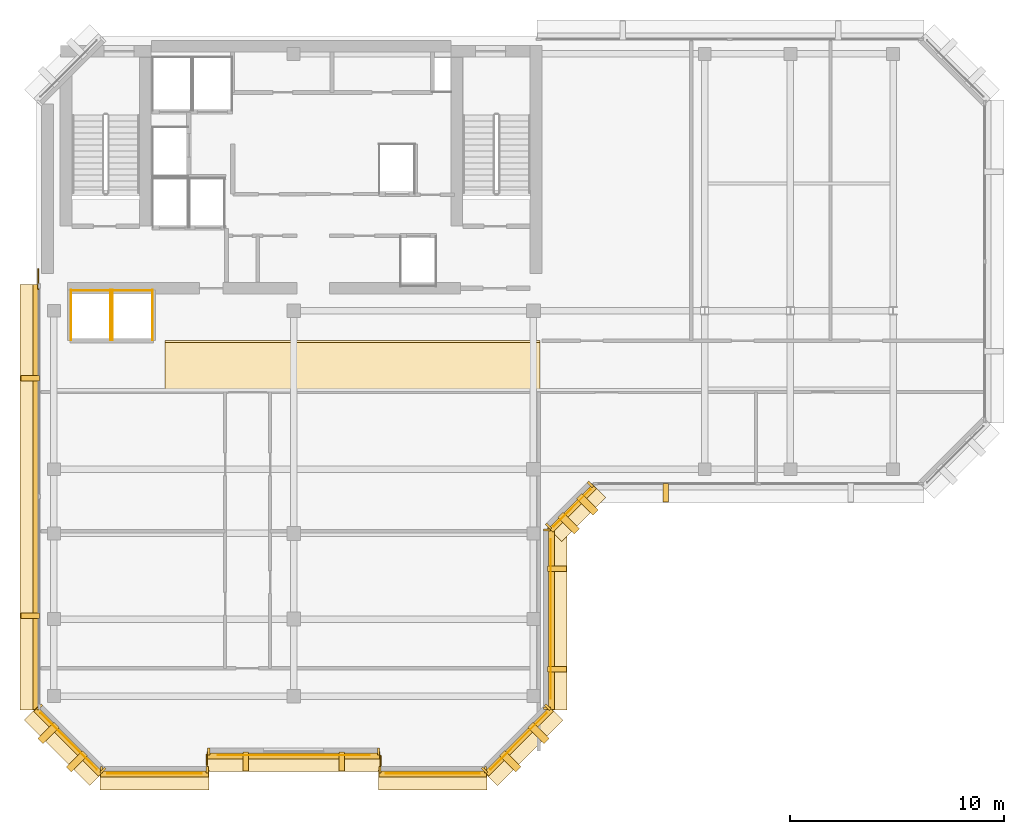
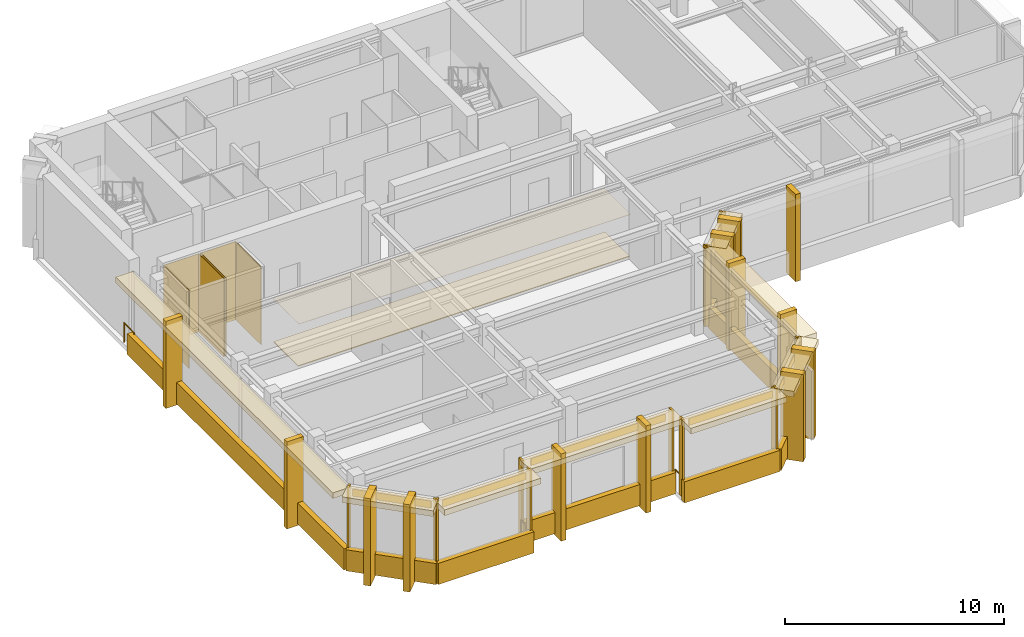
# One storey, part 7 of 9: 58 coverings, 3 railings.
"""IFC4 building model written with IfcOpenShell, lengths in metres."""

from ifc_helpers import new_model, si_unit, direction, frame, origin, origin_2d, place, context, subcontext, project, spatial, polyline, rectangle, circle, outline, extrude, material, layer, layer_set, type_object, element, save


model = new_model("IFC4")

# Units and contexts
model_context = context("Model", 3, precision=1e-05, world=origin(), true_north=direction((0.0, 1.0)))
body_context = subcontext(model_context, "Body", "Model", "MODEL_VIEW")
ifc_project = project(units=[si_unit("LENGTHUNIT", "METRE"), si_unit("AREAUNIT", "SQUARE_METRE"), si_unit("VOLUMEUNIT", "CUBIC_METRE"), si_unit("PLANEANGLEUNIT", "RADIAN"), si_unit("MASSUNIT", "GRAM", prefix="KILO")], contexts=[model_context])

# Site, building, storey
site_placement = place(None, origin())
site = spatial("IfcSite", under=ifc_project, at=site_placement, CompositionType="ELEMENT")
building_placement = place(site_placement, origin())
building = spatial("IfcBuilding", under=site, at=building_placement, Name="Kefirva Bronze Tower", CompositionType="ELEMENT")
storey_placement = place(building_placement, frame((0.0, 0.0, 356.72998046875)))
storey = spatial("IfcBuildingStorey", under=building, at=storey_placement, Name="L87", CompositionType="ELEMENT", Elevation=356.72998046875)

# Coverings
ifc_material_1 = material(Name="Acoustic mineral tile")
ifc_layer_1 = layer(ifc_material_1, 0.02490234375, Name="Acoustic mineral tile")
ifc_layer_set_1 = layer_set([ifc_layer_1], Name="Acoustic mineral tile")
covering_type_1 = type_object("IfcCoveringType", Name="Acoustic Mineral Suspended Ceiling 25mm", PredefinedType="CEILING", material=ifc_layer_set_1)
covering_1_placement = place(storey_placement, frame((0.0, 0.0, 2.39990234375)))
element("IfcCovering", 1, at=covering_1_placement, inside=storey, type_object=covering_type_1, Name="L87 Corridor Acoustic Ceiling", PredefinedType="CEILING", context=body_context, shape_type="SweptSolid", body=[
    extrude(outline(polyline([(6.0, 29.39990234375), (23.5, 29.39990234375), (23.5, 31.800048828125), (6.0, 31.800048828125), (6.0, 29.39990234375)])), origin(), (0.0, 0.0, 1.0), 0.025146484375),
])
ifc_material_2 = material(Name="Bronze anodised aluminium", Category="aluminium")
ifc_layer_2 = layer(ifc_material_2, 0.02001953125, Name="Bronze anodised aluminium")
ifc_layer_set_2 = layer_set([ifc_layer_2], Name="Bronze anodised aluminium")
covering_type_2 = type_object("IfcCoveringType", Name="Anodised Bronze Spandrel Cladding 20mm", PredefinedType="CLADDING", material=ifc_layer_set_2)
covering_2_placement = place(storey_placement, frame((5.5, 11.590087890625, 3.949951171875), z_axis=(0.0, 0.0, 1.0), x_axis=(1.0, 0.0, 0.0)))
element("IfcCovering", 2, at=covering_2_placement, inside=storey, type_object=covering_type_2, Name="L87 Bronze Spandrel Cladding 1", PredefinedType="CLADDING", context=body_context, shape_type="SweptSolid", body=[
    extrude(rectangle(XDim=4.40087890625, YDim=0.02001953125, at=origin_2d()), origin(), (0.0, 0.0, 1.0), 0.39990234375),
])
for number, where, z_axis, x_axis, name in (
    (3, (3.034912109375, 11.760009765625, 0.0), (0.0, 0.0, 1.0), (1.0, 0.0, 0.0), "L87 Facade Joint Closure Panel 1S"),
    (4, (7.965087890625, 11.760009765625, 0.0), (0.0, 0.0, 1.0), (1.0, 0.0, 0.0), "L87 Facade Joint Closure Panel 1E"),
):
    element("IfcCovering", number, at=place(storey_placement, frame(where, z_axis=z_axis, x_axis=x_axis)), inside=storey, type_object=covering_type_2, Name=name, PredefinedType="CLADDING", context=body_context, shape_type="SweptSolid", body=[
        extrude(rectangle(XDim=0.10009765625, YDim=0.320068359375, at=origin_2d()), origin(), (0.0, 0.0, 1.0), 4.3701171875),
    ])
covering_3_placement = place(storey_placement, frame((5.5, 11.56005859375, -0.16015625), z_axis=(0.0, 0.0, 1.0), x_axis=(1.0, 0.0, 0.0)))
element("IfcCovering", 5, at=covering_3_placement, inside=storey, type_object=covering_type_2, Name="L87 Streamline Horizontal Spandrel Band 0", PredefinedType="CLADDING", context=body_context, shape_type="SweptSolid", body=[
    extrude(rectangle(XDim=5.0400390625, YDim=0.280029296875, at=origin_2d()), origin(), (0.0, 0.0, 1.0), 1.179931640625),
])
covering_4_placement = place(storey_placement, frame((12.0, 12.43994140625, 3.949951171875), z_axis=(0.0, 0.0, 1.0), x_axis=(1.0, 0.0, 0.0)))
element("IfcCovering", 6, at=covering_4_placement, inside=storey, type_object=covering_type_2, Name="L87 Bronze Spandrel Cladding 2", PredefinedType="CLADDING", context=body_context, shape_type="SweptSolid", body=[
    extrude(rectangle(XDim=7.10107421875, YDim=0.02001953125, at=origin_2d()), origin(), (0.0, 0.0, 1.0), 0.39990234375),
])
for number, where, z_axis, x_axis, name in (
    (7, (8.034912109375, 12.610107421875, 0.0), (0.0, 0.0, 1.0), (1.0, 0.0, 0.0), "L87 Facade Joint Closure Panel 2S"),
    (8, (15.965087890625, 12.610107421875, 0.0), (0.0, 0.0, 1.0), (1.0, 0.0, 0.0), "L87 Facade Joint Closure Panel 2E"),
):
    element("IfcCovering", number, at=place(storey_placement, frame(where, z_axis=z_axis, x_axis=x_axis)), inside=storey, type_object=covering_type_2, Name=name, PredefinedType="CLADDING", context=body_context, shape_type="SweptSolid", body=[
        extrude(rectangle(XDim=0.10009765625, YDim=0.320068359375, at=origin_2d()), origin(), (0.0, 0.0, 1.0), 4.3701171875),
    ])
covering_5_placement = place(storey_placement, frame((12.0, 12.409912109375, -0.16015625), z_axis=(0.0, 0.0, 1.0), x_axis=(1.0, 0.0, 0.0)))
element("IfcCovering", 9, at=covering_5_placement, inside=storey, type_object=covering_type_2, Name="L87 Streamline Horizontal Spandrel Band 2", PredefinedType="CLADDING", context=body_context, shape_type="SweptSolid", body=[
    extrude(rectangle(XDim=8.0400390625, YDim=0.280029296875, at=origin_2d()), origin(), (0.0, 0.0, 1.0), 1.179931640625),
])
covering_6_placement = place(storey_placement, frame((18.5, 11.590087890625, 3.949951171875), z_axis=(0.0, 0.0, 1.0), x_axis=(1.0, 0.0, 0.0)))
element("IfcCovering", 10, at=covering_6_placement, inside=storey, type_object=covering_type_2, Name="L87 Bronze Spandrel Cladding 3", PredefinedType="CLADDING", context=body_context, shape_type="SweptSolid", body=[
    extrude(rectangle(XDim=4.40087890625, YDim=0.02001953125, at=origin_2d()), origin(), (0.0, 0.0, 1.0), 0.39990234375),
])
for number, where, z_axis, x_axis, name in (
    (11, (16.034912109375, 11.760009765625, 0.0), (0.0, 0.0, 1.0), (1.0, 0.0, 0.0), "L87 Facade Joint Closure Panel 3S"),
    (12, (20.965087890625, 11.760009765625, 0.0), (0.0, 0.0, 1.0), (1.0, 0.0, 0.0), "L87 Facade Joint Closure Panel 3E"),
):
    element("IfcCovering", number, at=place(storey_placement, frame(where, z_axis=z_axis, x_axis=x_axis)), inside=storey, type_object=covering_type_2, Name=name, PredefinedType="CLADDING", context=body_context, shape_type="SweptSolid", body=[
        extrude(rectangle(XDim=0.10009765625, YDim=0.320068359375, at=origin_2d()), origin(), (0.0, 0.0, 1.0), 4.3701171875),
    ])
covering_7_placement = place(storey_placement, frame((18.5, 11.56005859375, -0.16015625), z_axis=(0.0, 0.0, 1.0), x_axis=(1.0, 0.0, 0.0)))
element("IfcCovering", 13, at=covering_7_placement, inside=storey, type_object=covering_type_2, Name="L87 Streamline Horizontal Spandrel Band 4", PredefinedType="CLADDING", context=body_context, shape_type="SweptSolid", body=[
    extrude(rectangle(XDim=5.0400390625, YDim=0.280029296875, at=origin_2d()), origin(), (0.0, 0.0, 1.0), 1.179931640625),
])
covering_8_placement = place(storey_placement, frame((22.507080078125, 13.093017578125, 3.949951171875), z_axis=(0.0, 0.0, 1.0), x_axis=(0.707106781187, 0.707106781187, 0.0)))
element("IfcCovering", 14, at=covering_8_placement, inside=storey, type_object=covering_type_2, Name="L87 Bronze Spandrel Cladding 4", PredefinedType="CLADDING", context=body_context, shape_type="SweptSolid", body=[
    extrude(rectangle(XDim=3.719482421875, YDim=0.02001953125, at=origin_2d()), origin(), (0.0, 0.0, 1.0), 0.39990234375),
])
for number, where, z_axis, x_axis, name in (
    (15, (20.91162109375, 11.73779296875, 0.0), (0.0, 0.0, 1.0), (0.707106781187, 0.707106781187, 0.0), "L87 Facade Joint Closure Panel 4S"),
    (16, (23.862060546875, 14.688232421875, 0.0), (0.0, 0.0, 1.0), (0.707106781187, 0.707106781187, 0.0), "L87 Facade Joint Closure Panel 4E"),
):
    element("IfcCovering", number, at=place(storey_placement, frame(where, z_axis=z_axis, x_axis=x_axis)), inside=storey, type_object=covering_type_2, Name=name, PredefinedType="CLADDING", context=body_context, shape_type="SweptSolid", body=[
        extrude(rectangle(XDim=0.10009765625, YDim=0.320068359375, at=origin_2d()), origin(), (0.0, 0.0, 1.0), 4.3701171875),
    ])
covering_9_placement = place(storey_placement, frame((22.5283203125, 13.07177734375, -0.16015625), z_axis=(0.0, 0.0, 1.0), x_axis=(0.707106781187, 0.707106781187, 0.0)))
element("IfcCovering", 17, at=covering_9_placement, inside=storey, type_object=covering_type_2, Name="L87 Streamline Horizontal Spandrel Band 5", PredefinedType="CLADDING", context=body_context, shape_type="SweptSolid", body=[
    extrude(rectangle(XDim=4.28271484375, YDim=0.280029296875, at=origin_2d()), origin(), (0.0, 0.0, 1.0), 1.179931640625),
])
covering_10_placement = place(storey_placement, frame((24.010009765625, 18.800048828125, 3.949951171875), z_axis=(0.0, 0.0, 1.0), x_axis=(0.0, 1.0, 0.0)))
element("IfcCovering", 18, at=covering_10_placement, inside=storey, type_object=covering_type_2, Name="L87 Bronze Spandrel Cladding 5", PredefinedType="CLADDING", context=body_context, shape_type="SweptSolid", body=[
    extrude(rectangle(XDim=7.4609375, YDim=0.02001953125, at=origin_2d()), origin(), (0.0, 0.0, 1.0), 0.39990234375),
])
for number, where, z_axis, x_axis, name in (
    (19, (23.840087890625, 14.635009765625, 0.0), (0.0, 0.0, 1.0), (0.0, 1.0, 0.0), "L87 Facade Joint Closure Panel 5S"),
    (20, (23.840087890625, 22.965087890625, 0.0), (0.0, 0.0, 1.0), (0.0, 1.0, 0.0), "L87 Facade Joint Closure Panel 5E"),
):
    element("IfcCovering", number, at=place(storey_placement, frame(where, z_axis=z_axis, x_axis=x_axis)), inside=storey, type_object=covering_type_2, Name=name, PredefinedType="CLADDING", context=body_context, shape_type="SweptSolid", body=[
        extrude(rectangle(XDim=0.10009765625, YDim=0.320068359375, at=origin_2d()), origin(), (0.0, 0.0, 1.0), 4.3701171875),
    ])
covering_11_placement = place(storey_placement, frame((24.0400390625, 18.800048828125, -0.16015625), z_axis=(0.0, 0.0, 1.0), x_axis=(0.0, 1.0, 0.0)))
element("IfcCovering", 21, at=covering_11_placement, inside=storey, type_object=covering_type_2, Name="L87 Streamline Horizontal Spandrel Band 6", PredefinedType="CLADDING", context=body_context, shape_type="SweptSolid", body=[
    extrude(rectangle(XDim=8.43994140625, YDim=0.280029296875, at=origin_2d()), origin(), (0.0, 0.0, 1.0), 1.179931640625),
])
covering_12_placement = place(storey_placement, frame((25.007080078125, 23.992919921875, 3.949951171875), z_axis=(0.0, 0.0, 1.0), x_axis=(0.707106781187, 0.707106781187, 0.0)))
element("IfcCovering", 22, at=covering_12_placement, inside=storey, type_object=covering_type_2, Name="L87 Bronze Spandrel Cladding 6", PredefinedType="CLADDING", context=body_context, shape_type="SweptSolid", body=[
    extrude(rectangle(XDim=2.446533203125, YDim=0.02001953125, at=origin_2d()), origin(), (0.0, 0.0, 1.0), 0.39990234375),
])
for number, where, z_axis, x_axis, name in (
    (23, (23.91162109375, 23.137939453125, 0.0), (0.0, 0.0, 1.0), (0.707106781187, 0.707106781187, 0.0), "L87 Facade Joint Closure Panel 6S"),
    (24, (25.862060546875, 25.08837890625, 0.0), (0.0, 0.0, 1.0), (0.707106781187, 0.707106781187, 0.0), "L87 Facade Joint Closure Panel 6E"),
):
    element("IfcCovering", number, at=place(storey_placement, frame(where, z_axis=z_axis, x_axis=x_axis)), inside=storey, type_object=covering_type_2, Name=name, PredefinedType="CLADDING", context=body_context, shape_type="SweptSolid", body=[
        extrude(rectangle(XDim=0.10009765625, YDim=0.320068359375, at=origin_2d()), origin(), (0.0, 0.0, 1.0), 4.3701171875),
    ])
covering_13_placement = place(storey_placement, frame((25.0283203125, 23.9716796875, -0.16015625), z_axis=(0.0, 0.0, 1.0), x_axis=(0.707106781187, 0.707106781187, 0.0)))
element("IfcCovering", 25, at=covering_13_placement, inside=storey, type_object=covering_type_2, Name="L87 Streamline Horizontal Spandrel Band 7", PredefinedType="CLADDING", context=body_context, shape_type="SweptSolid", body=[
    extrude(rectangle(XDim=2.868408203125, YDim=0.280029296875, at=origin_2d()), origin(), (0.0, 0.0, 1.0), 1.179931640625),
])
covering_14_placement = place(storey_placement, frame((-0.0400390625, 24.49755859375, -0.16015625), z_axis=(0.0, 0.0, 1.0), x_axis=(0.0, -1.0, 0.0)))
element("IfcCovering", 26, at=covering_14_placement, inside=storey, type_object=covering_type_2, Name="L87 Streamline Horizontal Spandrel Band 14", PredefinedType="CLADDING", context=body_context, shape_type="SweptSolid", body=[
    extrude(rectangle(XDim=19.8349609375, YDim=0.280029296875, at=origin_2d()), origin(), (0.0, 0.0, 1.0), 1.179931640625),
])
covering_15_placement = place(storey_placement, frame((1.492919921875, 13.093017578125, 3.949951171875), z_axis=(0.0, 0.0, 1.0), x_axis=(0.707106781187, -0.707106781187, 0.0)))
element("IfcCovering", 27, at=covering_15_placement, inside=storey, type_object=covering_type_2, Name="L87 Bronze Spandrel Cladding 10", PredefinedType="CLADDING", context=body_context, shape_type="SweptSolid", body=[
    extrude(rectangle(XDim=3.719482421875, YDim=0.02001953125, at=origin_2d()), origin(), (0.0, 0.0, 1.0), 0.39990234375),
])
for number, where, z_axis, x_axis, name in (
    (28, (0.137939453125, 14.688232421875, 0.0), (0.0, 0.0, 1.0), (0.707106781187, -0.707106781187, 0.0), "L87 Facade Joint Closure Panel 10S"),
    (29, (3.08837890625, 11.73779296875, 0.0), (0.0, 0.0, 1.0), (0.707106781187, -0.707106781187, 0.0), "L87 Facade Joint Closure Panel 10E"),
):
    element("IfcCovering", number, at=place(storey_placement, frame(where, z_axis=z_axis, x_axis=x_axis)), inside=storey, type_object=covering_type_2, Name=name, PredefinedType="CLADDING", context=body_context, shape_type="SweptSolid", body=[
        extrude(rectangle(XDim=0.10009765625, YDim=0.320068359375, at=origin_2d()), origin(), (0.0, 0.0, 1.0), 4.3701171875),
    ])
covering_16_placement = place(storey_placement, frame((1.4716796875, 13.07177734375, -0.16015625), z_axis=(0.0, 0.0, 1.0), x_axis=(0.707106781187, -0.707106781187, 0.0)))
element("IfcCovering", 30, at=covering_16_placement, inside=storey, type_object=covering_type_2, Name="L87 Streamline Horizontal Spandrel Band 15", PredefinedType="CLADDING", context=body_context, shape_type="SweptSolid", body=[
    extrude(rectangle(XDim=4.28271484375, YDim=0.280029296875, at=origin_2d()), origin(), (0.0, 0.0, 1.0), 1.179931640625),
])
covering_17_placement = place(storey_placement, origin())
element("IfcCovering", 31, at=covering_17_placement, inside=storey, type_object=covering_type_2, Name="L87 Lift OB1 Hoistway Liner N", PredefinedType="CLADDING", context=body_context, shape_type="SweptSolid", body=[
    extrude(outline(polyline([(1.580078125, 34.139892578125), (3.469970703125, 34.139892578125), (3.469970703125, 34.159912109375), (1.580078125, 34.159912109375), (1.580078125, 34.139892578125)])), origin(), (0.0, 0.0, 1.0), 4.3701171875),
])
covering_18_placement = place(storey_placement, origin())
element("IfcCovering", 32, at=covering_18_placement, inside=storey, type_object=covering_type_2, Name="L87 Lift OB1 Hoistway Liner W", PredefinedType="CLADDING", context=body_context, shape_type="SweptSolid", body=[
    extrude(outline(polyline([(1.590087890625, 31.830078125), (1.610107421875, 31.830078125), (1.610107421875, 34.169921875), (1.590087890625, 34.169921875), (1.590087890625, 31.830078125)])), origin(), (0.0, 0.0, 1.0), 4.3701171875),
])
covering_19_placement = place(storey_placement, origin())
element("IfcCovering", 33, at=covering_19_placement, inside=storey, type_object=covering_type_2, Name="L87 Lift OB1 Hoistway Liner E", PredefinedType="CLADDING", context=body_context, shape_type="SweptSolid", body=[
    extrude(outline(polyline([(3.43994140625, 31.830078125), (3.4599609375, 31.830078125), (3.4599609375, 34.169921875), (3.43994140625, 34.169921875), (3.43994140625, 31.830078125)])), origin(), (0.0, 0.0, 1.0), 4.3701171875),
])
covering_20_placement = place(storey_placement, origin())
element("IfcCovering", 34, at=covering_20_placement, inside=storey, type_object=covering_type_2, Name="L87 Lift OB2 Hoistway Liner N", PredefinedType="CLADDING", context=body_context, shape_type="SweptSolid", body=[
    extrude(outline(polyline([(3.530029296875, 34.139892578125), (5.419921875, 34.139892578125), (5.419921875, 34.159912109375), (3.530029296875, 34.159912109375), (3.530029296875, 34.139892578125)])), origin(), (0.0, 0.0, 1.0), 4.3701171875),
])
covering_21_placement = place(storey_placement, origin())
element("IfcCovering", 35, at=covering_21_placement, inside=storey, type_object=covering_type_2, Name="L87 Lift OB2 Hoistway Liner W", PredefinedType="CLADDING", context=body_context, shape_type="SweptSolid", body=[
    extrude(outline(polyline([(3.5400390625, 31.830078125), (3.56005859375, 31.830078125), (3.56005859375, 34.169921875), (3.5400390625, 34.169921875), (3.5400390625, 31.830078125)])), origin(), (0.0, 0.0, 1.0), 4.3701171875),
])
covering_22_placement = place(storey_placement, origin())
element("IfcCovering", 36, at=covering_22_placement, inside=storey, type_object=covering_type_2, Name="L87 Lift OB2 Hoistway Liner E", PredefinedType="CLADDING", context=body_context, shape_type="SweptSolid", body=[
    extrude(outline(polyline([(5.389892578125, 31.830078125), (5.409912109375, 31.830078125), (5.409912109375, 34.169921875), (5.389892578125, 34.169921875), (5.389892578125, 31.830078125)])), origin(), (0.0, 0.0, 1.0), 4.3701171875),
])

# Railings
ifc_material_3 = material(Name="Stainless steel 316", Category="steel")
railing_type = type_object("IfcRailingType", Name="Interior Stair Guardrail 1100mm", PredefinedType="GUARDRAIL", material=ifc_material_3)
railing_1_placement = place(storey_placement, frame((0.080078125, 34.199951171875, 0.0)))
element("IfcRailing", 37, at=railing_1_placement, inside=storey, type_object=railing_type, Name="L87 West Core Junction Guardrail", PredefinedType="GUARDRAIL", context=body_context, shape_type="SweptSolid", body=[
    extrude(circle(Radius=0.02392578125, at=origin_2d()), frame((0.0, 0.0, 1.076171875), z_axis=(0.0, 1.0, 0.0), x_axis=(-1.0, 0.0, 0.0)), (0.0, 0.0, 1.0), 0.949951171875),
    extrude(circle(Radius=0.02099609375, at=origin_2d()), origin(), (0.0, 0.0, 1.0), 1.052001953125),
    extrude(circle(Radius=0.02099609375, at=origin_2d()), frame((0.0, 0.949951171875, 0.0)), (0.0, 0.0, 1.0), 1.052001953125),
])
railing_2_placement = place(storey_placement, frame((16.06005859375, 11.949951171875, 0.0)))
element("IfcRailing", 38, at=railing_2_placement, inside=storey, type_object=railing_type, Name="L87 Setback Corner Guardrail SB1", PredefinedType="GUARDRAIL", context=body_context, shape_type="SweptSolid", body=[
    extrude(circle(Radius=0.02392578125, at=origin_2d()), frame((0.0, 0.0, 1.076171875), z_axis=(0.0, 1.0, 0.0), x_axis=(-1.0, 0.0, 0.0)), (0.0, 0.0, 1.0), 0.469970703125),
    extrude(circle(Radius=0.02099609375, at=origin_2d()), origin(), (0.0, 0.0, 1.0), 1.052001953125),
    extrude(circle(Radius=0.02099609375, at=origin_2d()), frame((0.0, 0.469970703125, 0.0)), (0.0, 0.0, 1.0), 1.052001953125),
])
railing_3_placement = place(storey_placement, frame((7.93994140625, 11.97998046875, 0.0)))
element("IfcRailing", 39, at=railing_3_placement, inside=storey, type_object=railing_type, Name="L87 Setback Corner Guardrail SB2", PredefinedType="GUARDRAIL", context=body_context, shape_type="SweptSolid", body=[
    extrude(circle(Radius=0.02392578125, at=origin_2d()), frame((0.0, 0.0, 1.076171875), z_axis=(0.0, 1.0, 0.0), x_axis=(-1.0, 0.0, 0.0)), (0.0, 0.0, 1.0), 0.47998046875),
    extrude(circle(Radius=0.02099609375, at=origin_2d()), origin(), (0.0, 0.0, 1.0), 1.052001953125),
    extrude(circle(Radius=0.02099609375, at=origin_2d()), frame((0.0, 0.47998046875, 0.0)), (0.0, 0.0, 1.0), 1.052001953125),
])

# Coverings
ifc_material_4 = material(Name="Calcium sulphate access tile")
ifc_layer_3 = layer(ifc_material_4, 0.044921875, Name="Calcium sulphate access tile")
ifc_layer_set_3 = layer_set([ifc_layer_3], Name="Calcium sulphate access tile")
covering_type_3 = type_object("IfcCoveringType", Name="Raised Access Office Flooring 45mm", PredefinedType="FLOORING", material=ifc_layer_set_3)
covering_23_placement = place(storey_placement, origin())
element("IfcCovering", 40, at=covering_23_placement, inside=storey, type_object=covering_type_3, Name="L87 Architectural Finish Flooring", PredefinedType="FLOORING", context=body_context, shape_type="SweptSolid", body=[
    extrude(outline(polyline([(6.0, 29.47998046875), (23.5, 29.47998046875), (23.5, 31.719970703125), (6.0, 31.719970703125), (6.0, 29.47998046875)])), origin(), (0.0, 0.0, 1.0), 0.044921875),
])
ifc_layer_4 = layer(ifc_material_2, 0.179931640625, Name="Bronze anodised aluminium")
ifc_layer_set_4 = layer_set([ifc_layer_4], Name="Bronze anodised aluminium")
covering_type_4 = type_object("IfcCoveringType", Name="Streamline Bronze Sunshade Eyebrow Cladding 180mm", PredefinedType="CLADDING", material=ifc_layer_set_4)
covering_24_placement = place(storey_placement, frame((5.5, 11.2900390625, 4.0498046875), z_axis=(0.0, 0.0, 1.0), x_axis=(1.0, 0.0, 0.0)))
element("IfcCovering", 41, at=covering_24_placement, inside=storey, type_object=covering_type_4, Name="L87 Streamline Bronze Sunshade Eyebrow 0", PredefinedType="CLADDING", context=body_context, shape_type="SweptSolid", body=[
    extrude(rectangle(XDim=5.080078125, YDim=0.93994140625, at=origin_2d()), origin(), (0.0, 0.0, 1.0), 0.320068359375),
])
covering_25_placement = place(storey_placement, frame((12.0, 12.139892578125, 4.0498046875), z_axis=(0.0, 0.0, 1.0), x_axis=(1.0, 0.0, 0.0)))
element("IfcCovering", 42, at=covering_25_placement, inside=storey, type_object=covering_type_4, Name="L87 Streamline Bronze Sunshade Eyebrow 2", PredefinedType="CLADDING", context=body_context, shape_type="SweptSolid", body=[
    extrude(rectangle(XDim=8.080078125, YDim=0.93994140625, at=origin_2d()), origin(), (0.0, 0.0, 1.0), 0.320068359375),
])
covering_26_placement = place(storey_placement, frame((18.5, 11.2900390625, 4.0498046875), z_axis=(0.0, 0.0, 1.0), x_axis=(1.0, 0.0, 0.0)))
element("IfcCovering", 43, at=covering_26_placement, inside=storey, type_object=covering_type_4, Name="L87 Streamline Bronze Sunshade Eyebrow 4", PredefinedType="CLADDING", context=body_context, shape_type="SweptSolid", body=[
    extrude(rectangle(XDim=5.080078125, YDim=0.93994140625, at=origin_2d()), origin(), (0.0, 0.0, 1.0), 0.320068359375),
])
covering_27_placement = place(storey_placement, frame((22.71923828125, 12.880859375, 4.0498046875), z_axis=(0.0, 0.0, 1.0), x_axis=(0.707106781187, 0.707106781187, 0.0)))
element("IfcCovering", 44, at=covering_27_placement, inside=storey, type_object=covering_type_4, Name="L87 Streamline Bronze Sunshade Eyebrow 5", PredefinedType="CLADDING", context=body_context, shape_type="SweptSolid", body=[
    extrude(rectangle(XDim=4.322509765625, YDim=0.93994140625, at=origin_2d()), origin(), (0.0, 0.0, 1.0), 0.320068359375),
])
covering_28_placement = place(storey_placement, frame((24.31005859375, 18.800048828125, 4.0498046875), z_axis=(0.0, 0.0, 1.0), x_axis=(0.0, 1.0, 0.0)))
element("IfcCovering", 45, at=covering_28_placement, inside=storey, type_object=covering_type_4, Name="L87 Streamline Bronze Sunshade Eyebrow 6", PredefinedType="CLADDING", context=body_context, shape_type="SweptSolid", body=[
    extrude(rectangle(XDim=8.47998046875, YDim=0.93994140625, at=origin_2d()), origin(), (0.0, 0.0, 1.0), 0.320068359375),
])
covering_29_placement = place(storey_placement, frame((25.21923828125, 23.78076171875, 4.0498046875), z_axis=(0.0, 0.0, 1.0), x_axis=(0.707106781187, 0.707106781187, 0.0)))
element("IfcCovering", 46, at=covering_29_placement, inside=storey, type_object=covering_type_4, Name="L87 Streamline Bronze Sunshade Eyebrow 7", PredefinedType="CLADDING", context=body_context, shape_type="SweptSolid", body=[
    extrude(rectangle(XDim=2.908447265625, YDim=0.93994140625, at=origin_2d()), origin(), (0.0, 0.0, 1.0), 0.320068359375),
])
covering_30_placement = place(storey_placement, frame((-0.31005859375, 24.49755859375, 4.0498046875), z_axis=(0.0, 0.0, 1.0), x_axis=(0.0, -1.0, 0.0)))
element("IfcCovering", 47, at=covering_30_placement, inside=storey, type_object=covering_type_4, Name="L87 Streamline Bronze Sunshade Eyebrow 14", PredefinedType="CLADDING", context=body_context, shape_type="SweptSolid", body=[
    extrude(rectangle(XDim=19.875, YDim=0.93994140625, at=origin_2d()), origin(), (0.0, 0.0, 1.0), 0.320068359375),
])
covering_31_placement = place(storey_placement, frame((1.28076171875, 12.880859375, 4.0498046875), z_axis=(0.0, 0.0, 1.0), x_axis=(0.707106781187, -0.707106781187, 0.0)))
element("IfcCovering", 48, at=covering_31_placement, inside=storey, type_object=covering_type_4, Name="L87 Streamline Bronze Sunshade Eyebrow 15", PredefinedType="CLADDING", context=body_context, shape_type="SweptSolid", body=[
    extrude(rectangle(XDim=4.322509765625, YDim=0.93994140625, at=origin_2d()), origin(), (0.0, 0.0, 1.0), 0.320068359375),
])
ifc_layer_5 = layer(ifc_material_2, 0.260009765625, Name="Bronze anodised aluminium")
ifc_layer_set_5 = layer_set([ifc_layer_5], Name="Bronze anodised aluminium")
covering_type_5 = type_object("IfcCoveringType", Name="Unbroken Bronze Buttress Fin Cladding 260mm", PredefinedType="CLADDING", material=ifc_layer_set_5)
for number, where, z_axis, x_axis, name in (
    (49, (9.760009765625, 12.14990234375, -0.25), (0.0, 0.0, 1.0), (1.0, 0.0, 0.0), "L87 Unbroken Vertical Bronze Rib Fin 1"),
    (50, (14.239990234375, 12.14990234375, -0.25), (0.0, 0.0, 1.0), (1.0, 0.0, 0.0), "L87 Unbroken Vertical Bronze Rib Fin 2"),
):
    element("IfcCovering", number, at=place(storey_placement, frame(where, z_axis=z_axis, x_axis=x_axis)), inside=storey, type_object=covering_type_5, Name=name, PredefinedType="CLADDING", context=body_context, shape_type="SweptSolid", body=[
        extrude(rectangle(XDim=0.260009765625, YDim=0.8798828125, at=origin_2d()), origin(), (0.0, 0.0, 1.0), 4.8701171875),
    ])
for number, where, z_axis, x_axis, name in (
    (51, (22.122802734375, 12.1572265625, -0.25), (0.0, 0.0, 1.0), (0.707106781187, 0.707106781187, 0.0), "L87 Chamfered Corner Buttress Fin Cladding 3"),
    (52, (23.44287109375, 13.477294921875, -0.25), (0.0, 0.0, 1.0), (0.707106781187, 0.707106781187, 0.0), "L87 Chamfered Corner Buttress Fin Cladding 4"),
):
    element("IfcCovering", number, at=place(storey_placement, frame(where, z_axis=z_axis, x_axis=x_axis)), inside=storey, type_object=covering_type_5, Name=name, PredefinedType="CLADDING", context=body_context, shape_type="SweptSolid", body=[
        extrude(rectangle(XDim=0.340087890625, YDim=1.080078125, at=origin_2d()), origin(), (0.0, 0.0, 1.0), 4.8701171875),
    ])
for number, where, z_axis, x_axis, name in (
    (53, (24.300048828125, 16.447998046875, -0.25), (0.0, 0.0, 1.0), (0.0, 1.0, 0.0), "L87 Unbroken Vertical Bronze Rib Fin 5"),
    (54, (24.300048828125, 21.152099609375, -0.25), (0.0, 0.0, 1.0), (0.0, 1.0, 0.0), "L87 Unbroken Vertical Bronze Rib Fin 6"),
):
    element("IfcCovering", number, at=place(storey_placement, frame(where, z_axis=z_axis, x_axis=x_axis)), inside=storey, type_object=covering_type_5, Name=name, PredefinedType="CLADDING", context=body_context, shape_type="SweptSolid", body=[
        extrude(rectangle(XDim=0.260009765625, YDim=0.8798828125, at=origin_2d()), origin(), (0.0, 0.0, 1.0), 4.8701171875),
    ])
for number, where, z_axis, x_axis, name in (
    (55, (24.8427734375, 23.277099609375, -0.25), (0.0, 0.0, 1.0), (0.707106781187, 0.707106781187, 0.0), "L87 Chamfered Corner Buttress Fin Cladding 7"),
    (56, (25.722900390625, 24.1572265625, -0.25), (0.0, 0.0, 1.0), (0.707106781187, 0.707106781187, 0.0), "L87 Chamfered Corner Buttress Fin Cladding 8"),
):
    element("IfcCovering", number, at=place(storey_placement, frame(where, z_axis=z_axis, x_axis=x_axis)), inside=storey, type_object=covering_type_5, Name=name, PredefinedType="CLADDING", context=body_context, shape_type="SweptSolid", body=[
        extrude(rectangle(XDim=0.340087890625, YDim=1.080078125, at=origin_2d()), origin(), (0.0, 0.0, 1.0), 4.8701171875),
    ])
for number, where, z_axis, x_axis, name in (
    (57, (29.387939453125, 24.699951171875, -0.25), (0.0, 0.0, 1.0), (1.0, 0.0, 0.0), "L87 Unbroken Vertical Bronze Rib Fin 9"),
    (58, (-0.300048828125, 30.0400390625, -0.25), (0.0, 0.0, 1.0), (0.0, -1.0, 0.0), "L87 Unbroken Vertical Bronze Rib Fin 21"),
    (59, (-0.300048828125, 18.954833984375, -0.25), (0.0, 0.0, 1.0), (0.0, -1.0, 0.0), "L87 Unbroken Vertical Bronze Rib Fin 22"),
):
    element("IfcCovering", number, at=place(storey_placement, frame(where, z_axis=z_axis, x_axis=x_axis)), inside=storey, type_object=covering_type_5, Name=name, PredefinedType="CLADDING", context=body_context, shape_type="SweptSolid", body=[
        extrude(rectangle(XDim=0.260009765625, YDim=0.8798828125, at=origin_2d()), origin(), (0.0, 0.0, 1.0), 4.8701171875),
    ])
for number, where, z_axis, x_axis, name in (
    (60, (0.55712890625, 13.477294921875, -0.25), (0.0, 0.0, 1.0), (0.707106781187, -0.707106781187, 0.0), "L87 Chamfered Corner Buttress Fin Cladding 23"),
    (61, (1.877197265625, 12.1572265625, -0.25), (0.0, 0.0, 1.0), (0.707106781187, -0.707106781187, 0.0), "L87 Chamfered Corner Buttress Fin Cladding 24"),
):
    element("IfcCovering", number, at=place(storey_placement, frame(where, z_axis=z_axis, x_axis=x_axis)), inside=storey, type_object=covering_type_5, Name=name, PredefinedType="CLADDING", context=body_context, shape_type="SweptSolid", body=[
        extrude(rectangle(XDim=0.340087890625, YDim=1.080078125, at=origin_2d()), origin(), (0.0, 0.0, 1.0), 4.8701171875),
    ])

save(model, "model.ifc")
